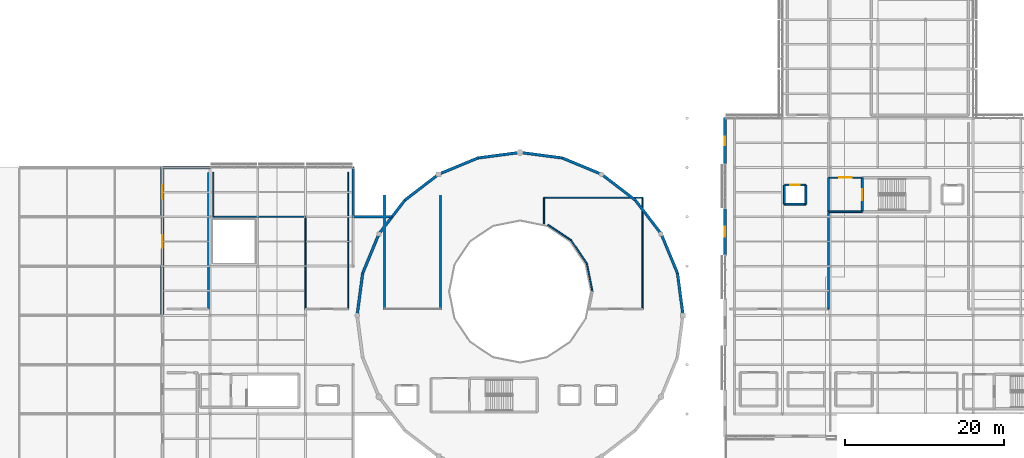
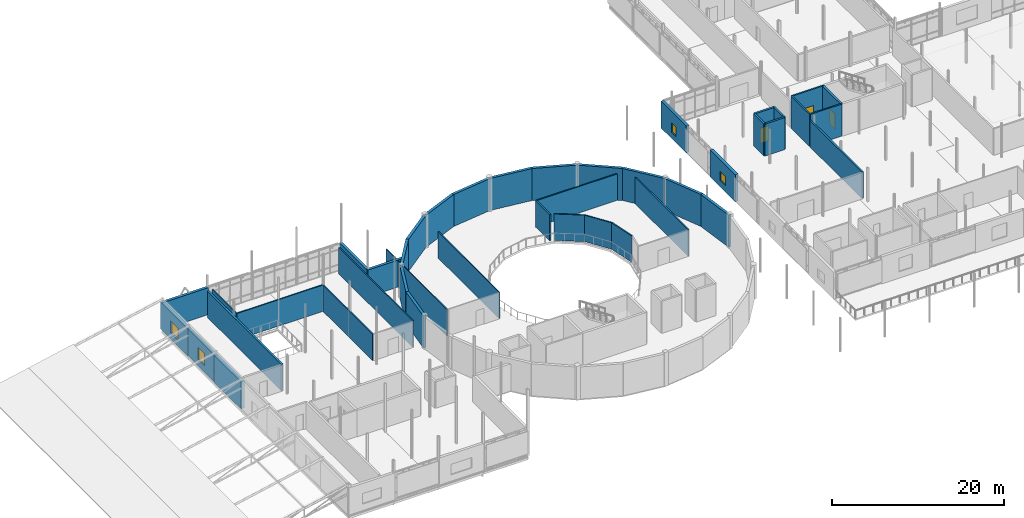
# One storey, part 47 of 66: 42 walls, 4 windows, 3 doors, 7 openings.
"""IFC4 building model written with IfcOpenShell, lengths in metres."""

from ifc_helpers import new_model, si_unit, direction, frame, frame_2d, origin, place, context, subcontext, project, spatial, rectangle, extrude, material, layer, layer_set, type_object, element, fill, save


model = new_model("IFC4")

# Units and contexts
model_context = context("Model", 3, precision=1e-05, world=origin(), true_north=direction((0.0, 1.0)))
body_context = subcontext(model_context, "Body", "Model", "MODEL_VIEW")
ifc_project = project(units=[si_unit("LENGTHUNIT", "METRE"), si_unit("AREAUNIT", "SQUARE_METRE"), si_unit("VOLUMEUNIT", "CUBIC_METRE"), si_unit("PLANEANGLEUNIT", "RADIAN"), si_unit("MASSUNIT", "GRAM", prefix="KILO")], contexts=[model_context])

# Site, building, storey
site_placement = place(None, origin())
site = spatial("IfcSite", under=ifc_project, at=site_placement, CompositionType="ELEMENT")
building_placement = place(site_placement, origin())
building = spatial("IfcBuilding", under=site, at=building_placement, Name="Mirzam Square Science Centre", CompositionType="ELEMENT")
storey_placement = place(building_placement, frame((0.0, 0.0, 15.60009765625)))
storey = spatial("IfcBuildingStorey", under=building, at=storey_placement, Name="L03", CompositionType="ELEMENT", Elevation=15.60009765625)

# Wall, opening, door
ifc_material_1 = material(Name="Concrete C45/55", Category="concrete")
ifc_layer_1 = layer(ifc_material_1, 0.300048828125)
ifc_layer_set_1 = layer_set([ifc_layer_1], Name="W-CORE-300")
wall_type_1 = type_object("IfcWallType", Name="W-CORE-300", PredefinedType="SHEAR", material=ifc_layer_set_1)
wall_1_placement = place(storey_placement, frame((124.0400390625, 79.330078125, 0.0), z_axis=(0.0, 0.0, 1.0), x_axis=(0.0, -1.0, 0.0)))
wall_1 = element("IfcWall", 1, at=wall_1_placement, inside=storey, type_object=wall_type_1, Name="L03 CORE-4 west wall", PredefinedType="SHEAR", context=body_context, shape_type="SweptSolid", body=[
    extrude(rectangle(XDim=4.2900390625, YDim=0.300048828125, at=frame_2d((2.14501953125, 0.0))), origin(), (0.0, 0.0, 1.0), 4.5498046875),
])
opening_1_placement = place(wall_1_placement, frame((1.469970703125, 0.0, 0.0)))
opening_1 = element("IfcOpeningElement", 2, at=opening_1_placement, cuts=wall_1, Name="Opening DS-01", PredefinedType="OPENING", context=body_context, shape_type="SweptSolid", body=[
    extrude(rectangle(XDim=1.35009765625, YDim=2.199951171875, at=frame_2d((0.675048828125, 1.10009765625))), frame((0.0, 0.159912109375, 0.0), z_axis=(0.0, -1.0, 0.0), x_axis=(1.0, 0.0, 0.0)), (0.0, 0.0, 1.0), 0.320068359375),
])
ifc_material_2 = material(Name="Fire-Rated Powder-Coated Architectural Steel Door", Category="steel")
door_type_1 = type_object("IfcDoorType", Name="DR-STAIR-1350x2200", OperationType="NOTDEFINED", PredefinedType="DOOR", material=ifc_material_2)
door_1_placement = place(opening_1_placement, origin())
door_1 = element("IfcDoor", 3, at=door_1_placement, inside=storey, type_object=door_type_1, Name="DRS-4-L03", OperationType="SINGLE_SWING_LEFT", OverallHeight=2.199951171875, OverallWidth=1.35009765625, PredefinedType="DOOR", context=body_context, shape_type="SweptSolid", body=[
    extrude(rectangle(XDim=1.35009765625, YDim=2.199951171875, at=frame_2d((0.675048828125, 1.10009765625))), frame((0.0, 0.02490234375, 0.0), z_axis=(0.0, -1.0, 0.0), x_axis=(1.0, 0.0, 0.0)), (0.0, 0.0, 1.0), 0.050048828125),
])
fill(opening_1, door_1)

# Walls
ifc_layer_2 = layer(ifc_material_1, 0.35009765625)
ifc_layer_set_2 = layer_set([ifc_layer_2], Name="W-DRUM-350")
wall_type_2 = type_object("IfcWallType", Name="W-DRUM-350", PredefinedType="SHEAR", material=ifc_layer_set_2)
wall_2_placement = place(storey_placement, frame((101.5, 62.0, 0.0), z_axis=(0.0, 0.0, 1.0), x_axis=(-0.130517056518, 0.991446064069, 0.0)))
element("IfcWall", 4, at=wall_2_placement, inside=storey, type_object=wall_type_2, Name="L03 planetarium drum wall 01", PredefinedType="SHEAR", context=body_context, shape_type="SweptSolid", body=[
    extrude(rectangle(XDim=5.351806640625, YDim=0.35009765625, at=frame_2d((2.67578125, 0.0))), origin(), (0.0, 0.0, 1.0), 4.5498046875),
])
for number, where, z_axis, x_axis, name in (
    (5, (100.801513671875, 67.305908203125, 0.0), (0.0, 0.0, 1.0), (-0.382713071139, 0.923867255172, 0.0), "L03 planetarium drum wall 02"),
    (6, (98.75341796875, 72.25, 0.0), (0.0, 0.0, 1.0), (-0.60876670321, 0.793349293227, 0.0), "L03 planetarium drum wall 03"),
    (7, (95.49560546875, 76.49560546875, 0.0), (0.0, 0.0, 1.0), (-0.793349293227, 0.60876670321, 0.0), "L03 planetarium drum wall 04"),
    (8, (91.25, 79.75341796875, 0.0), (0.0, 0.0, 1.0), (-0.923867255172, 0.382713071139, 0.0), "L03 planetarium drum wall 05"),
):
    element("IfcWall", number, at=place(storey_placement, frame(where, z_axis=z_axis, x_axis=x_axis)), inside=storey, type_object=wall_type_2, Name=name, PredefinedType="SHEAR", context=body_context, shape_type="SweptSolid", body=[
        extrude(rectangle(XDim=5.3515625, YDim=0.35009765625, at=frame_2d((2.67578125, 0.0))), origin(), (0.0, 0.0, 1.0), 4.5498046875),
    ])
for number, where, z_axis, x_axis, name in (
    (9, (86.305908203125, 81.801513671875, 0.0), (0.0, 0.0, 1.0), (-0.991446064069, 0.130517056518, 0.0), "L03 planetarium drum wall 06"),
    (10, (81.0, 82.5, 0.0), (0.0, 0.0, 1.0), (-0.991446064069, -0.130517056518, 0.0), "L03 planetarium drum wall 07"),
):
    element("IfcWall", number, at=place(storey_placement, frame(where, z_axis=z_axis, x_axis=x_axis)), inside=storey, type_object=wall_type_2, Name=name, PredefinedType="SHEAR", context=body_context, shape_type="SweptSolid", body=[
        extrude(rectangle(XDim=5.351806640625, YDim=0.35009765625, at=frame_2d((2.67578125, 0.0))), origin(), (0.0, 0.0, 1.0), 4.5498046875),
    ])
for number, where, z_axis, x_axis, name in (
    (11, (75.694091796875, 81.801513671875, 0.0), (0.0, 0.0, 1.0), (-0.923867255172, -0.382713071139, 0.0), "L03 planetarium drum wall 08"),
    (12, (70.75, 79.75341796875, 0.0), (0.0, 0.0, 1.0), (-0.793349293227, -0.60876670321, 0.0), "L03 planetarium drum wall 09"),
    (13, (66.50439453125, 76.49560546875, 0.0), (0.0, 0.0, 1.0), (-0.60876670321, -0.793349293227, 0.0), "L03 planetarium drum wall 10"),
    (14, (63.24658203125, 72.25, 0.0), (0.0, 0.0, 1.0), (-0.382713071139, -0.923867255172, 0.0), "L03 planetarium drum wall 11"),
):
    element("IfcWall", number, at=place(storey_placement, frame(where, z_axis=z_axis, x_axis=x_axis)), inside=storey, type_object=wall_type_2, Name=name, PredefinedType="SHEAR", context=body_context, shape_type="SweptSolid", body=[
        extrude(rectangle(XDim=5.3515625, YDim=0.35009765625, at=frame_2d((2.67578125, 0.0))), origin(), (0.0, 0.0, 1.0), 4.5498046875),
    ])
wall_3_placement = place(storey_placement, frame((61.198486328125, 67.305908203125, 0.0), z_axis=(0.0, 0.0, 1.0), x_axis=(-0.130517056518, -0.991446064069, 0.0)))
element("IfcWall", 15, at=wall_3_placement, inside=storey, type_object=wall_type_2, Name="L03 planetarium drum wall 12", PredefinedType="SHEAR", context=body_context, shape_type="SweptSolid", body=[
    extrude(rectangle(XDim=5.351806640625, YDim=0.35009765625, at=frame_2d((2.67578125, 0.0))), origin(), (0.0, 0.0, 1.0), 4.5498046875),
])

# Wall, opening, window
ifc_material_3 = material(Name="Insulated Sand-Toned GFRC Concrete C40/50", Category="concrete")
ifc_layer_3 = layer(ifc_material_3, 0.385009765625)
ifc_layer_set_3 = layer_set([ifc_layer_3], Name="W-EXT-GFRC-385")
wall_type_3 = type_object("IfcWallType", Name="W-EXT-GFRC-385", PredefinedType="SOLIDWALL", material=ifc_layer_set_3)
wall_4_placement = place(storey_placement, frame((106.800048828125, 86.875, 0.0), z_axis=(0.0, 0.0, 1.0), x_axis=(0.0, -1.0, 0.0)))
wall_4 = element("IfcWall", 16, at=wall_4_placement, inside=storey, type_object=wall_type_3, Name="L03 external wall EW-EST-W-L03-01", PredefinedType="SOLIDWALL", context=body_context, shape_type="SweptSolid", body=[
    extrude(rectangle(XDim=5.8642578125, YDim=0.385009765625, at=frame_2d((2.93212890625, 0.0))), origin(), (0.0, 0.0, 1.0), 3.83984375),
])
opening_2_placement = place(wall_4_placement, frame((2.382080078125, 0.0, 0.89990234375)))
opening_2 = element("IfcOpeningElement", 17, at=opening_2_placement, cuts=wall_4, Name="Opening W-01", PredefinedType="OPENING", context=body_context, shape_type="SweptSolid", body=[
    extrude(rectangle(XDim=1.10009765625, YDim=1.300048828125, at=frame_2d((0.550048828125, 0.64990234375))), frame((0.0, 0.202392578125, 0.0), z_axis=(0.0, -1.0, 0.0), x_axis=(1.0, 0.0, 0.0)), (0.0, 0.0, 1.0), 0.405029296875),
])
ifc_material_4 = material(Name="Thermally Broken Bronze Aluminium and Low-E Glass", Category="aluminium")
window_type_1 = type_object("IfcWindowType", Name="WIN-1100x1300", PartitioningType="SINGLE_PANEL", PredefinedType="WINDOW", material=ifc_material_4)
window_1_placement = place(opening_2_placement, origin())
window_1 = element("IfcWindow", 18, at=window_1_placement, inside=storey, type_object=window_type_1, Name="L03 solar window 089", OverallHeight=1.300048828125, OverallWidth=1.10009765625, PartitioningType="SINGLE_PANEL", PredefinedType="WINDOW", context=body_context, shape_type="SweptSolid", body=[
    extrude(rectangle(XDim=1.10009765625, YDim=1.300048828125, at=frame_2d((0.550048828125, 0.64990234375))), frame((0.0, 0.030029296875, 0.0), z_axis=(0.0, -1.0, 0.0), x_axis=(1.0, 0.0, 0.0)), (0.0, 0.0, 1.0), 0.06005859375),
])
fill(opening_2, window_1)

wall_5_placement = place(storey_placement, frame((106.800048828125, 75.4462890625, 0.0), z_axis=(0.0, 0.0, 1.0), x_axis=(0.0, -1.0, 0.0)))
wall_5 = element("IfcWall", 19, at=wall_5_placement, inside=storey, type_object=wall_type_3, Name="L03 external wall EW-EST-W-L03-03", PredefinedType="SOLIDWALL", context=body_context, shape_type="SweptSolid", body=[
    extrude(rectangle(XDim=5.8642578125, YDim=0.385009765625, at=frame_2d((2.93212890625, 0.0))), origin(), (0.0, 0.0, 1.0), 3.83984375),
])
opening_3_placement = place(wall_5_placement, frame((2.30712890625, 0.0, 0.89990234375)))
opening_3 = element("IfcOpeningElement", 20, at=opening_3_placement, cuts=wall_5, Name="Opening W-02", PredefinedType="OPENING", context=body_context, shape_type="SweptSolid", body=[
    extrude(rectangle(XDim=1.25, YDim=1.300048828125, at=frame_2d((0.625, 0.64990234375))), frame((0.0, 0.202392578125, 0.0), z_axis=(0.0, -1.0, 0.0), x_axis=(1.0, 0.0, 0.0)), (0.0, 0.0, 1.0), 0.405029296875),
])
window_type_2 = type_object("IfcWindowType", Name="WIN-1250x1300", PartitioningType="SINGLE_PANEL", PredefinedType="WINDOW", material=ifc_material_4)
window_2_placement = place(opening_3_placement, origin())
window_2 = element("IfcWindow", 21, at=window_2_placement, inside=storey, type_object=window_type_2, Name="L03 solar window 090", OverallHeight=1.300048828125, OverallWidth=1.25, PartitioningType="SINGLE_PANEL", PredefinedType="WINDOW", context=body_context, shape_type="SweptSolid", body=[
    extrude(rectangle(XDim=1.25, YDim=1.300048828125, at=frame_2d((0.625, 0.64990234375))), frame((0.0, 0.030029296875, 0.0), z_axis=(0.0, -1.0, 0.0), x_axis=(1.0, 0.0, 0.0)), (0.0, 0.0, 1.0), 0.06005859375),
])
fill(opening_3, window_2)

# Wall
ifc_material_5 = material(Name="Honed Qatari Limestone Concrete C40/50", Category="masonry")
ifc_layer_4 = layer(ifc_material_5, 0.449951171875)
ifc_layer_set_4 = layer_set([ifc_layer_4], Name="W-EXT-LIME-450")
wall_type_4 = type_object("IfcWallType", Name="W-EXT-LIME-450", PredefinedType="SOLIDWALL", material=ifc_layer_set_4)
wall_6_placement = place(storey_placement, frame((36.0, 68.27490234375, 0.0), z_axis=(0.0, 0.0, 1.0), x_axis=(0.0, -1.0, 0.0)))
element("IfcWall", 22, at=wall_6_placement, inside=storey, type_object=wall_type_4, Name="L03 external wall EW-WDG-W-L03-11", PredefinedType="SOLIDWALL", context=body_context, shape_type="SweptSolid", body=[
    extrude(rectangle(XDim=6.349853515625, YDim=0.449951171875, at=frame_2d((3.1748046875, 0.0))), origin(), (0.0, 0.0, 1.0), 3.83984375),
])

# Wall, opening, window
wall_7_placement = place(storey_placement, frame((36.0, 80.675048828125, 0.0), z_axis=(0.0, 0.0, 1.0), x_axis=(0.0, -1.0, 0.0)))
wall_7 = element("IfcWall", 23, at=wall_7_placement, inside=storey, type_object=wall_type_4, Name="L03 external wall EW-WDG-W-L03-13", PredefinedType="SOLIDWALL", context=body_context, shape_type="SweptSolid", body=[
    extrude(rectangle(XDim=6.35009765625, YDim=0.449951171875, at=frame_2d((3.175048828125, 0.0))), origin(), (0.0, 0.0, 1.0), 3.83984375),
])
opening_4_placement = place(wall_7_placement, frame((2.324951171875, 0.0, 0.89990234375)))
opening_4 = element("IfcOpeningElement", 24, at=opening_4_placement, cuts=wall_7, Name="Opening W-27", PredefinedType="OPENING", context=body_context, shape_type="SweptSolid", body=[
    extrude(rectangle(XDim=1.699951171875, YDim=1.699951171875, at=frame_2d((0.85009765625, 0.85009765625))), frame((0.0, 0.23486328125, 0.0), z_axis=(0.0, -1.0, 0.0), x_axis=(1.0, 0.0, 0.0)), (0.0, 0.0, 1.0), 0.469970703125),
])
window_type_3 = type_object("IfcWindowType", Name="WIN-1700x1700", PartitioningType="SINGLE_PANEL", PredefinedType="WINDOW", material=ifc_material_4)
window_3_placement = place(opening_4_placement, origin())
window_3 = element("IfcWindow", 25, at=window_3_placement, inside=storey, type_object=window_type_3, Name="L03 solar window 027", OverallHeight=1.699951171875, OverallWidth=1.699951171875, PartitioningType="SINGLE_PANEL", PredefinedType="WINDOW", context=body_context, shape_type="SweptSolid", body=[
    extrude(rectangle(XDim=1.699951171875, YDim=1.699951171875, at=frame_2d((0.85009765625, 0.85009765625))), frame((0.0, 0.030029296875, 0.0), z_axis=(0.0, -1.0, 0.0), x_axis=(1.0, 0.0, 0.0)), (0.0, 0.0, 1.0), 0.06005859375),
])
fill(opening_4, window_3)

# Walls
ifc_material_6 = material(Name="Standing-Seam Zinc-Clad Concrete Backup C40/50", Category="concrete")
ifc_layer_5 = layer(ifc_material_6, 0.35009765625)
ifc_layer_set_5 = layer_set([ifc_layer_5], Name="W-EXT-METAL-350")
wall_type_5 = type_object("IfcWallType", Name="W-EXT-METAL-350", PredefinedType="SOLIDWALL", material=ifc_layer_set_5)
wall_8_placement = place(storey_placement, frame((42.074951171875, 80.60009765625, 0.0), z_axis=(0.0, 0.0, 1.0), x_axis=(-1.0, 0.0, 0.0)))
element("IfcWall", 26, at=wall_8_placement, inside=storey, type_object=wall_type_5, Name="L03 external wall EW-WDG-N-L03-07", PredefinedType="SOLIDWALL", context=body_context, shape_type="SweptSolid", body=[
    extrude(rectangle(XDim=6.14990234375, YDim=0.35009765625, at=frame_2d((3.074951171875, 0.0))), origin(), (0.0, 0.0, 1.0), 3.83984375),
])
wall_9_placement = place(storey_placement, frame((64.875, 74.39990234375, 0.0), z_axis=(0.0, 0.0, 1.0), x_axis=(-1.0, 0.0, 0.0)))
element("IfcWall", 27, at=wall_9_placement, inside=storey, type_object=wall_type_5, Name="L03 external wall EW-WDG-E-N2-L03", PredefinedType="SOLIDWALL", context=body_context, shape_type="SweptSolid", body=[
    extrude(rectangle(XDim=4.949951171875, YDim=0.35009765625, at=frame_2d((2.47509765625, 0.0))), origin(), (0.0, 0.0, 1.0), 3.83984375),
])
wall_10_placement = place(storey_placement, frame((60.0, 74.324951171875, 0.0), z_axis=(0.0, 0.0, 1.0), x_axis=(0.0, 1.0, 0.0)))
element("IfcWall", 28, at=wall_10_placement, inside=storey, type_object=wall_type_5, Name="L03 external wall EW-WDG-E-N-L03", PredefinedType="SOLIDWALL", context=body_context, shape_type="SweptSolid", body=[
    extrude(rectangle(XDim=6.35009765625, YDim=0.35009765625, at=frame_2d((3.175048828125, 0.0))), origin(), (0.0, 0.0, 1.0), 3.83984375),
])

# Wall, opening, window
wall_11_placement = place(storey_placement, frame((36.0, 74.47509765625, 0.0), z_axis=(0.0, 0.0, 1.0), x_axis=(0.0, -1.0, 0.0)))
wall_11 = element("IfcWall", 29, at=wall_11_placement, inside=storey, type_object=wall_type_5, Name="L03 external wall EW-WDG-W-L03-12", PredefinedType="SOLIDWALL", context=body_context, shape_type="SweptSolid", body=[
    extrude(rectangle(XDim=6.35009765625, YDim=0.35009765625, at=frame_2d((3.175048828125, 0.0))), origin(), (0.0, 0.0, 1.0), 3.83984375),
])
opening_5_placement = place(wall_11_placement, frame((2.39990234375, 0.0, 0.89990234375)))
opening_5 = element("IfcOpeningElement", 30, at=opening_5_placement, cuts=wall_11, Name="Opening W-26", PredefinedType="OPENING", context=body_context, shape_type="SweptSolid", body=[
    extrude(rectangle(XDim=1.550048828125, YDim=1.699951171875, at=frame_2d((0.77490234375, 0.85009765625))), frame((0.0, 0.18505859375, 0.0), z_axis=(0.0, -1.0, 0.0), x_axis=(1.0, 0.0, 0.0)), (0.0, 0.0, 1.0), 0.3701171875),
])
window_type_4 = type_object("IfcWindowType", Name="WIN-1550x1700", PartitioningType="SINGLE_PANEL", PredefinedType="WINDOW", material=ifc_material_4)
window_4_placement = place(opening_5_placement, origin())
window_4 = element("IfcWindow", 31, at=window_4_placement, inside=storey, type_object=window_type_4, Name="L03 solar window 026", OverallHeight=1.699951171875, OverallWidth=1.550048828125, PartitioningType="SINGLE_PANEL", PredefinedType="WINDOW", context=body_context, shape_type="SweptSolid", body=[
    extrude(rectangle(XDim=1.550048828125, YDim=1.699951171875, at=frame_2d((0.77490234375, 0.85009765625))), frame((0.0, 0.030029296875, 0.0), z_axis=(0.0, -1.0, 0.0), x_axis=(1.0, 0.0, 0.0)), (0.0, 0.0, 1.0), 0.06005859375),
])
fill(opening_5, window_4)

# Wall
ifc_layer_6 = layer(ifc_material_1, 0.199951171875)
ifc_layer_set_6 = layer_set([ifc_layer_6], Name="W-LOBBY-200")
wall_type_6 = type_object("IfcWallType", Name="W-LOBBY-200", PredefinedType="SHEAR", material=ifc_layer_set_6)
wall_12_placement = place(storey_placement, frame((119.800048828125, 75.0400390625, 0.0), z_axis=(0.0, 0.0, 1.0), x_axis=(1.0, 0.0, 0.0)))
element("IfcWall", 32, at=wall_12_placement, inside=storey, type_object=wall_type_6, Name="L03 CORE-4 lobby south wall", PredefinedType="SHEAR", context=body_context, shape_type="SweptSolid", body=[
    extrude(rectangle(XDim=4.239990234375, YDim=0.199951171875, at=frame_2d((2.1201171875, 0.0))), origin(), (0.0, 0.0, 1.0), 4.5498046875),
])

# Wall, opening, door
wall_13_placement = place(storey_placement, frame((124.0400390625, 79.330078125, 0.0), z_axis=(0.0, 0.0, 1.0), x_axis=(-1.0, 0.0, 0.0)))
wall_13 = element("IfcWall", 33, at=wall_13_placement, inside=storey, type_object=wall_type_6, Name="L03 CORE-4 lobby north wall", PredefinedType="SHEAR", context=body_context, shape_type="SweptSolid", body=[
    extrude(rectangle(XDim=4.239990234375, YDim=0.199951171875, at=frame_2d((2.1201171875, 0.0))), origin(), (0.0, 0.0, 1.0), 4.5498046875),
])
opening_6_placement = place(wall_13_placement, frame((1.344970703125, 0.0, 0.0)))
opening_6 = element("IfcOpeningElement", 34, at=opening_6_placement, cuts=wall_13, Name="Opening DL-01", PredefinedType="OPENING", context=body_context, shape_type="SweptSolid", body=[
    extrude(rectangle(XDim=1.550048828125, YDim=2.199951171875, at=frame_2d((0.77490234375, 1.10009765625))), frame((0.0, 0.10986328125, 0.0), z_axis=(0.0, -1.0, 0.0), x_axis=(1.0, 0.0, 0.0)), (0.0, 0.0, 1.0), 0.219970703125),
])
ifc_material_7 = material(Name="Fire-Rated Glazed Architectural Steel Lobby Door", Category="steel")
door_type_2 = type_object("IfcDoorType", Name="DR-LOBBY-1550x2200", OperationType="DOUBLE_DOOR_SINGLE_SWING", PredefinedType="DOOR", material=ifc_material_7)
door_2_placement = place(opening_6_placement, origin())
door_2 = element("IfcDoor", 35, at=door_2_placement, inside=storey, type_object=door_type_2, Name="DRL-4-L03", OperationType="SINGLE_SWING_LEFT", OverallHeight=2.199951171875, OverallWidth=1.550048828125, PredefinedType="DOOR", context=body_context, shape_type="SweptSolid", body=[
    extrude(rectangle(XDim=1.550048828125, YDim=2.199951171875, at=frame_2d((0.77490234375, 1.10009765625))), frame((0.0, 0.02490234375, 0.0), z_axis=(0.0, -1.0, 0.0), x_axis=(1.0, 0.0, 0.0)), (0.0, 0.0, 1.0), 0.050048828125),
])
fill(opening_6, door_2)

# Walls
wall_14_placement = place(storey_placement, frame((119.800048828125, 79.330078125, 0.0), z_axis=(0.0, 0.0, 1.0), x_axis=(0.0, -1.0, 0.0)))
element("IfcWall", 36, at=wall_14_placement, inside=storey, type_object=wall_type_6, Name="L03 CORE-4 lobby west wall", PredefinedType="SHEAR", context=body_context, shape_type="SweptSolid", body=[
    extrude(rectangle(XDim=4.2900390625, YDim=0.199951171875, at=frame_2d((2.14501953125, 0.0))), origin(), (0.0, 0.0, 1.0), 4.5498046875),
])
ifc_material_8 = material(Name="Acoustic Gypsum Stud Partition", Category="gypsum")
ifc_layer_7 = layer(ifc_material_8, 0.1201171875)
ifc_layer_set_7 = layer_set([ifc_layer_7], Name="W-PART-120")
wall_type_7 = type_object("IfcWallType", Name="W-PART-120", PredefinedType="PARTITIONING", material=ifc_layer_set_7)
for number, where, z_axis, x_axis, name in (
    (37, (71.0, 77.0, 0.0), (0.0, 0.0, 1.0), (0.0, -1.0, 0.0), "L03 Orbital Mechanics Exhibition Ring Gallery partition 229"),
    (38, (64.0, 62.800048828125, 0.0), (0.0, 0.0, 1.0), (0.0, 1.0, 0.0), "L03 Orbital Mechanics Exhibition Ring Gallery partition 231"),
):
    element("IfcWall", number, at=place(storey_placement, frame(where, z_axis=z_axis, x_axis=x_axis)), inside=storey, type_object=wall_type_7, Name=name, PredefinedType="PARTITIONING", context=body_context, shape_type="SweptSolid", body=[
        extrude(rectangle(XDim=14.199951171875, YDim=0.1201171875, at=frame_2d((7.10009765625, 0.0))), origin(), (0.0, 0.0, 1.0), 3.75),
    ])
ifc_material_9 = material(Name="Laboratory Acoustic Partition", Category="gypsum")
ifc_layer_8 = layer(ifc_material_9, 0.14990234375)
ifc_layer_set_8 = layer_set([ifc_layer_8], Name="W-PART-150")
wall_type_8 = type_object("IfcWallType", Name="W-PART-150", PredefinedType="PARTITIONING", material=ifc_layer_set_8)
wall_15_placement = place(storey_placement, frame((59.39990234375, 80.0, 0.0), z_axis=(0.0, 0.0, 1.0), x_axis=(0.0, -1.0, 0.0)))
element("IfcWall", 39, at=wall_15_placement, inside=storey, type_object=wall_type_8, Name="L03 Solar Energy Systems School Workshop partition 235", PredefinedType="PARTITIONING", context=body_context, shape_type="SweptSolid", body=[
    extrude(rectangle(XDim=17.199951171875, YDim=0.14990234375, at=frame_2d((8.60009765625, 0.0))), origin(), (0.0, 0.0, 1.0), 3.75),
])
wall_16_placement = place(storey_placement, frame((54.0, 62.800048828125, 0.0), z_axis=(0.0, 0.0, 1.0), x_axis=(0.0, 1.0, 0.0)))
element("IfcWall", 40, at=wall_16_placement, inside=storey, type_object=wall_type_8, Name="L03 Solar Energy Systems School Workshop partition 237", PredefinedType="PARTITIONING", context=body_context, shape_type="SweptSolid", body=[
    extrude(rectangle(XDim=11.599853515625, YDim=0.14990234375, at=frame_2d((5.7998046875, 0.0))), origin(), (0.0, 0.0, 1.0), 3.75),
])
wall_17_placement = place(storey_placement, frame((54.0, 74.39990234375, 0.0), z_axis=(0.0, 0.0, 1.0), x_axis=(-1.0, 0.0, 0.0)))
element("IfcWall", 41, at=wall_17_placement, inside=storey, type_object=wall_type_8, Name="L03 Solar Energy Systems School Workshop partition 238", PredefinedType="PARTITIONING", context=body_context, shape_type="SweptSolid", body=[
    extrude(rectangle(XDim=11.60009765625, YDim=0.14990234375, at=frame_2d((5.800048828125, 0.0))), origin(), (0.0, 0.0, 1.0), 3.75),
])
wall_18_placement = place(storey_placement, frame((42.39990234375, 74.39990234375, 0.0), z_axis=(0.0, 0.0, 1.0), x_axis=(0.0, 1.0, 0.0)))
element("IfcWall", 42, at=wall_18_placement, inside=storey, type_object=wall_type_8, Name="L03 Solar Energy Systems School Workshop partition 239", PredefinedType="PARTITIONING", context=body_context, shape_type="SweptSolid", body=[
    extrude(rectangle(XDim=5.60009765625, YDim=0.14990234375, at=frame_2d((2.800048828125, 0.0))), origin(), (0.0, 0.0, 1.0), 3.75),
])
ifc_material_10 = material(Name="Wet-Area Moisture-Resistant Partition", Category="gypsum")
ifc_layer_9 = layer(ifc_material_10, 0.1650390625)
ifc_layer_set_9 = layer_set([ifc_layer_9], Name="W-PART-165")
wall_type_9 = type_object("IfcWallType", Name="W-PART-165", PredefinedType="PARTITIONING", material=ifc_layer_set_9)
wall_19_placement = place(storey_placement, frame((84.0, 76.800048828125, 0.0), z_axis=(0.0, 0.0, 1.0), x_axis=(1.0, 0.0, 0.0)))
element("IfcWall", 43, at=wall_19_placement, inside=storey, type_object=wall_type_9, Name="L03 Planetarium Dome Projection and Audio Control Studio partition 240", PredefinedType="PARTITIONING", context=body_context, shape_type="SweptSolid", body=[
    extrude(rectangle(XDim=12.39990234375, YDim=0.1650390625, at=frame_2d((6.199951171875, 0.0))), origin(), (0.0, 0.0, 1.0), 3.75),
])
wall_20_placement = place(storey_placement, frame((96.39990234375, 76.800048828125, 0.0), z_axis=(0.0, 0.0, 1.0), x_axis=(0.0, -1.0, 0.0)))
element("IfcWall", 44, at=wall_20_placement, inside=storey, type_object=wall_type_9, Name="L03 Planetarium Dome Projection and Audio Control Studio partition 241", PredefinedType="PARTITIONING", context=body_context, shape_type="SweptSolid", body=[
    extrude(rectangle(XDim=14.0, YDim=0.1650390625, at=frame_2d((7.0, 0.0))), origin(), (0.0, 0.0, 1.0), 3.75),
])
wall_21_placement = place(storey_placement, frame((90.10009765625, 65.0, 0.0), z_axis=(0.0, 0.0, 1.0), x_axis=(-0.195137546521, 0.980775885683, 0.0)))
element("IfcWall", 45, at=wall_21_placement, inside=storey, type_object=wall_type_9, Name="L03 Planetarium Dome Projection and Audio Control Studio partition 244", PredefinedType="PARTITIONING", context=body_context, shape_type="SweptSolid", body=[
    extrude(rectangle(XDim=3.55078125, YDim=0.1650390625, at=frame_2d((1.775390625, 0.0))), origin(), (0.0, 0.0, 1.0), 3.75),
])
for number, where, z_axis, x_axis, name in (
    (46, (89.4072265625, 68.482421875, 0.0), (0.0, 0.0, 1.0), (-0.555509182012, 0.831510402039, 0.0), "L03 Planetarium Dome Projection and Audio Control Studio partition 245"),
    (47, (87.434814453125, 71.434814453125, 0.0), (0.0, 0.0, 1.0), (-0.831510402039, 0.555509182012, 0.0), "L03 Planetarium Dome Projection and Audio Control Studio partition 246"),
):
    element("IfcWall", number, at=place(storey_placement, frame(where, z_axis=z_axis, x_axis=x_axis)), inside=storey, type_object=wall_type_9, Name=name, PredefinedType="PARTITIONING", context=body_context, shape_type="SweptSolid", body=[
        extrude(rectangle(XDim=3.550537109375, YDim=0.1650390625, at=frame_2d((1.775390625, 0.0))), origin(), (0.0, 0.0, 1.0), 3.75),
    ])
wall_22_placement = place(storey_placement, frame((84.0, 73.50341796875, 0.0), z_axis=(0.0, 0.0, 1.0), x_axis=(0.0, 1.0, 0.0)))
element("IfcWall", 48, at=wall_22_placement, inside=storey, type_object=wall_type_9, Name="L03 Planetarium Dome Projection and Audio Control Studio partition 247", PredefinedType="PARTITIONING", context=body_context, shape_type="SweptSolid", body=[
    extrude(rectangle(XDim=3.296630859375, YDim=0.1650390625, at=frame_2d((1.6484375, 0.0))), origin(), (0.0, 0.0, 1.0), 3.75),
])
ifc_material_11 = material(Name="Chemical Prep Fire Partition Concrete C30/37", Category="concrete")
ifc_layer_10 = layer(ifc_material_11, 0.215087890625)
ifc_layer_set_10 = layer_set([ifc_layer_10], Name="W-PART-215")
wall_type_10 = type_object("IfcWallType", Name="W-PART-215", PredefinedType="PARTITIONING", material=ifc_layer_set_10)
wall_23_placement = place(storey_placement, frame((119.800048828125, 74.89990234375, 0.0), z_axis=(0.0, 0.0, 1.0), x_axis=(0.0, -1.0, 0.0)))
element("IfcWall", 49, at=wall_23_placement, inside=storey, type_object=wall_type_10, Name="L03 Arid Botany Wet Laboratory 4 partition 254", PredefinedType="PARTITIONING", context=body_context, shape_type="SweptSolid", body=[
    extrude(rectangle(XDim=12.099853515625, YDim=0.215087890625, at=frame_2d((6.0498046875, 0.0))), origin(), (0.0, 0.0, 1.0), 3.75),
])
ifc_material_12 = material(Name="Theatre Acoustic Isolation Wall Concrete C35/45", Category="concrete")
ifc_layer_11 = layer(ifc_material_12, 0.260009765625)
ifc_layer_set_11 = layer_set([ifc_layer_11], Name="W-PART-260")
wall_type_11 = type_object("IfcWallType", Name="W-PART-260", PredefinedType="PARTITIONING", material=ifc_layer_set_11)
wall_24_placement = place(storey_placement, frame((41.800048828125, 80.0, 0.0), z_axis=(0.0, 0.0, 1.0), x_axis=(0.0, -1.0, 0.0)))
element("IfcWall", 50, at=wall_24_placement, inside=storey, type_object=wall_type_11, Name="L03 Space Exploration Upper Exhibition Hall 5 partition 227", PredefinedType="PARTITIONING", context=body_context, shape_type="SweptSolid", body=[
    extrude(rectangle(XDim=17.199951171875, YDim=0.260009765625, at=frame_2d((8.60009765625, 0.0))), origin(), (0.0, 0.0, 1.0), 3.75),
])
ifc_layer_12 = layer(ifc_material_1, 0.25)
ifc_layer_set_12 = layer_set([ifc_layer_12], Name="W-SHAFT-250")
wall_type_12 = type_object("IfcWallType", Name="W-SHAFT-250", PredefinedType="SHEAR", material=ifc_layer_set_12)
wall_25_placement = place(storey_placement, frame((114.25, 76.0, 0.0), z_axis=(0.0, 0.0, 1.0), x_axis=(1.0, 0.0, 0.0)))
element("IfcWall", 51, at=wall_25_placement, inside=storey, type_object=wall_type_12, Name="L03 lift LF-02 shaft wall S", PredefinedType="SHEAR", context=body_context, shape_type="SweptSolid", body=[
    extrude(rectangle(XDim=2.699951171875, YDim=0.25, at=frame_2d((1.35009765625, 0.0))), origin(), (0.0, 0.0, 1.0), 4.5498046875),
])

# Wall, opening, door
wall_26_placement = place(storey_placement, frame((116.949951171875, 78.39990234375, 0.0), z_axis=(0.0, 0.0, 1.0), x_axis=(-1.0, 0.0, 0.0)))
wall_26 = element("IfcWall", 52, at=wall_26_placement, inside=storey, type_object=wall_type_12, Name="L03 lift LF-02 shaft wall N", PredefinedType="SHEAR", context=body_context, shape_type="SweptSolid", body=[
    extrude(rectangle(XDim=2.699951171875, YDim=0.25, at=frame_2d((1.35009765625, 0.0))), origin(), (0.0, 0.0, 1.0), 4.5498046875),
])
opening_7_placement = place(wall_26_placement, frame((0.75, 0.0, 0.0)))
opening_7 = element("IfcOpeningElement", 53, at=opening_7_placement, cuts=wall_26, Name="Opening LD-02", PredefinedType="OPENING", context=body_context, shape_type="SweptSolid", body=[
    extrude(rectangle(XDim=1.199951171875, YDim=2.199951171875, at=frame_2d((0.60009765625, 1.10009765625))), frame((0.0, 0.135009765625, 0.0), z_axis=(0.0, -1.0, 0.0), x_axis=(1.0, 0.0, 0.0)), (0.0, 0.0, 1.0), 0.27001953125),
])
ifc_material_13 = material(Name="Firefighting Brushed Stainless Steel 316L Sliding Door", Category="steel")
door_type_3 = type_object("IfcDoorType", Name="LD-FIRE-1200x2200", OperationType="DOUBLE_DOOR_SLIDING", PredefinedType="DOOR", material=ifc_material_13)
door_3_placement = place(opening_7_placement, origin())
door_3 = element("IfcDoor", 54, at=door_3_placement, inside=storey, type_object=door_type_3, Name="LD-LF-02-L03", OperationType="DOUBLE_DOOR_SLIDING", OverallHeight=2.199951171875, OverallWidth=1.199951171875, PredefinedType="DOOR", context=body_context, shape_type="SweptSolid", body=[
    extrude(rectangle(XDim=1.199951171875, YDim=2.199951171875, at=frame_2d((0.60009765625, 1.10009765625))), frame((0.0, 0.02490234375, 0.0), z_axis=(0.0, -1.0, 0.0), x_axis=(1.0, 0.0, 0.0)), (0.0, 0.0, 1.0), 0.050048828125),
])
fill(opening_7, door_3)

# Walls
for number, where, z_axis, x_axis, name in (
    (55, (114.25, 78.39990234375, 0.0), (0.0, 0.0, 1.0), (0.0, -1.0, 0.0), "L03 lift LF-02 shaft wall W"),
    (56, (116.949951171875, 76.0, 0.0), (0.0, 0.0, 1.0), (0.0, 1.0, 0.0), "L03 lift LF-02 shaft wall E"),
):
    element("IfcWall", number, at=place(storey_placement, frame(where, z_axis=z_axis, x_axis=x_axis)), inside=storey, type_object=wall_type_12, Name=name, PredefinedType="SHEAR", context=body_context, shape_type="SweptSolid", body=[
        extrude(rectangle(XDim=2.39990234375, YDim=0.25, at=frame_2d((1.199951171875, 0.0))), origin(), (0.0, 0.0, 1.0), 4.5498046875),
    ])

save(model, "model.ifc")
